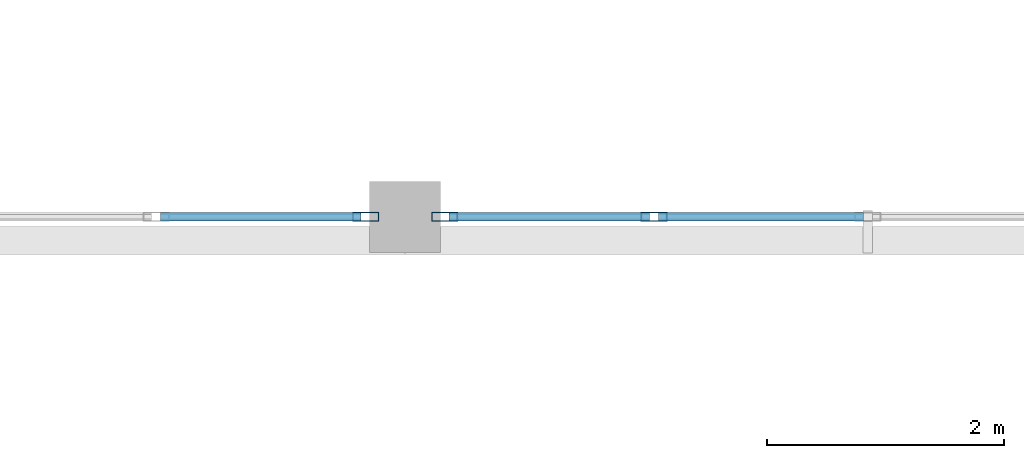
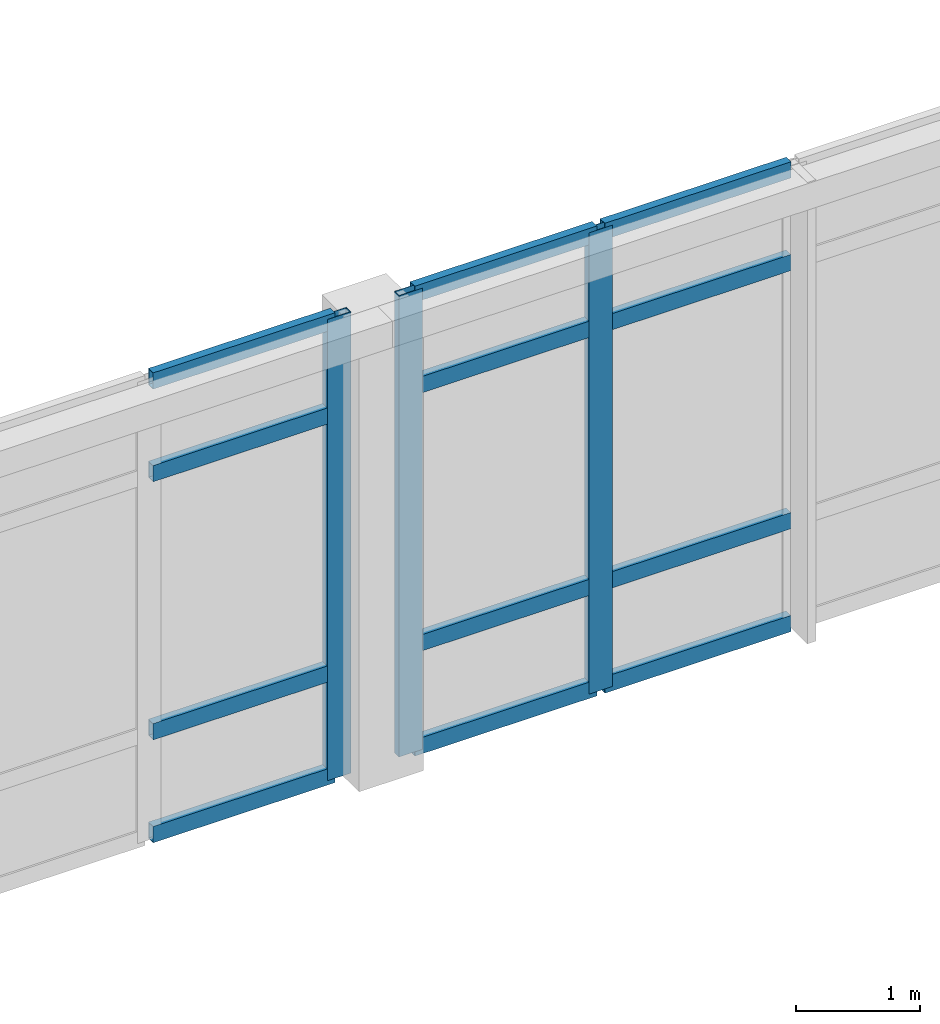
# One storey, part 25 of 88: 15 members, 2 elements without a shape of their own.
"""IFC4 building model written with IfcOpenShell, lengths in metres."""

from ifc_helpers import new_model, si_unit, direction, frame, origin, origin_2d, place, context, subcontext, project, spatial, hollow_rectangle, extrude, material, layer, layer_set, material_profile, profile_set, type_object, element, aggregate, save


model = new_model("IFC4")

# Units and contexts
model_context = context("Model", 3, precision=1e-05, world=origin(), true_north=direction((0.0, 1.0)))
body_context = subcontext(model_context, "Body", "Model", "MODEL_VIEW")
ifc_project = project(units=[si_unit("LENGTHUNIT", "METRE"), si_unit("AREAUNIT", "SQUARE_METRE"), si_unit("VOLUMEUNIT", "CUBIC_METRE"), si_unit("PLANEANGLEUNIT", "RADIAN"), si_unit("MASSUNIT", "GRAM", prefix="KILO")], contexts=[model_context])

# Site, building, storey
site_placement = place(None, origin())
site = spatial("IfcSite", under=ifc_project, at=site_placement, CompositionType="ELEMENT")
building_placement = place(site_placement, origin())
building = spatial("IfcBuilding", under=site, at=building_placement, Name="Lornevale Opera House", CompositionType="ELEMENT")
storey_placement = place(building_placement, frame((0.0, 0.0, 10.199951171875)))
storey = spatial("IfcBuildingStorey", under=building, at=storey_placement, Name="L03", CompositionType="ELEMENT", Elevation=10.199951171875)

# Curtain wall, member
ifc_material = material(Name="Anodized Oxide-Green Aluminium Framing", Category="aluminium")
ifc_layer = layer(ifc_material, 0.219970703125)
ifc_layer_set = layer_set([ifc_layer], Name="Anodized Oxide-Green Aluminium Framing")
curtain_wall_type = type_object("IfcCurtainWallType", Name="Winter-Garden Curtain Wall M1900", PredefinedType="NOTDEFINED", material=ifc_layer_set)
curtain_wall_1_placement = place(storey_placement, origin())
curtain_wall_1 = element("IfcCurtainWall", 1, at=curtain_wall_1_placement, inside=storey, type_object=curtain_wall_type, Name="Winter-Garden Curtain Wall M1900 CW-136", PredefinedType="NOTDEFINED")
ifc_material_profile_1 = material_profile(ifc_material, hollow_rectangle(XDim=0.074951171875, YDim=0.219970703125, WallThickness=0.0048828125, at=origin_2d()), Name="ALU75x220x5")
ifc_profile_set_1 = profile_set([ifc_material_profile_1], Name="Anodized Oxide-Green Aluminium Framing")
member_type_1 = type_object("IfcMemberType", Name="Curtain Wall Mullion 75x220", PredefinedType="MULLION", material=ifc_profile_set_1)
member_1_placement = place(storey_placement, frame((76.466552734375, 16.800048828125, 0.0), z_axis=(0.0, 0.0, 1.0), x_axis=(0.0, -1.0, 0.0)))
member_1 = element("IfcMember", 2, at=member_1_placement, type_object=member_type_1, Name="Curtain Wall Mullion 75x220 CW2792", PredefinedType="MULLION", context=body_context, shape_type="SweptSolid", body=[
    extrude(hollow_rectangle(XDim=0.074951171875, YDim=0.219970703125, WallThickness=0.0048828125, at=origin_2d()), origin(), (0.0, 0.0, 1.0), 4.5400390625),
])

# Curtain wall, members
curtain_wall_2_placement = place(storey_placement, origin())
curtain_wall_2 = element("IfcCurtainWall", 3, at=curtain_wall_2_placement, inside=storey, type_object=curtain_wall_type, Name="Winter-Garden Curtain Wall M1900 CW-137", PredefinedType="NOTDEFINED")
member_2_placement = place(storey_placement, frame((78.902587890625, 16.800048828125, 0.0), z_axis=(0.0, 0.0, 1.0), x_axis=(0.0, -1.0, 0.0)))
member_2 = element("IfcMember", 4, at=member_2_placement, type_object=member_type_1, Name="Curtain Wall Mullion 75x220 CW2837", PredefinedType="MULLION", context=body_context, shape_type="SweptSolid", body=[
    extrude(hollow_rectangle(XDim=0.074951171875, YDim=0.219970703125, WallThickness=0.0048828125, at=origin_2d()), origin(), (0.0, 0.0, 1.0), 4.5400390625),
])
member_3_placement = place(storey_placement, frame((77.133544921875, 16.800048828125, 0.0), z_axis=(0.0, 0.0, 1.0), x_axis=(0.0, -1.0, 0.0)))
member_3 = element("IfcMember", 5, at=member_3_placement, type_object=member_type_1, Name="Curtain Wall Mullion 75x220 CW2838", PredefinedType="MULLION", context=body_context, shape_type="SweptSolid", body=[
    extrude(hollow_rectangle(XDim=0.074951171875, YDim=0.219970703125, WallThickness=0.0048828125, at=origin_2d()), origin(), (0.0, 0.0, 1.0), 4.5400390625),
])

# Member
ifc_material_profile_2 = material_profile(ifc_material, hollow_rectangle(XDim=0.074951171875, YDim=0.159912109375, WallThickness=0.0048828125, at=origin_2d()), Name="ALU75x160x5")
ifc_profile_set_2 = profile_set([ifc_material_profile_2], Name="Anodized Oxide-Green Aluminium Framing")
member_type_2 = type_object("IfcMemberType", Name="Curtain Wall Transom 75x160", PredefinedType="USERDEFINED", material=ifc_profile_set_2)
member_4_placement = place(storey_placement, frame((76.428955078125, 16.800048828125, 0.03759765625), z_axis=(-1.0, 0.0, 0.0), x_axis=(0.0, -1.0, 0.0)))
member_4 = element("IfcMember", 6, at=member_4_placement, type_object=member_type_2, Name="Curtain Wall Transom 75x160 CW2798", ObjectType="TRANSOM", PredefinedType="USERDEFINED", context=body_context, shape_type="SweptSolid", body=[
    extrude(hollow_rectangle(XDim=0.074951171875, YDim=0.159912109375, WallThickness=0.0048828125, at=origin_2d()), origin(), (0.0, 0.0, 1.0), 1.694091796875),
])

member_5_placement = place(storey_placement, frame((76.428955078125, 16.800048828125, 1.050048828125), z_axis=(-1.0, 0.0, 0.0), x_axis=(0.0, -1.0, 0.0)))
member_5 = element("IfcMember", 7, at=member_5_placement, type_object=member_type_2, Name="Curtain Wall Transom 75x160 CW2799", ObjectType="TRANSOM", PredefinedType="USERDEFINED", context=body_context, shape_type="SweptSolid", body=[
    extrude(hollow_rectangle(XDim=0.074951171875, YDim=0.159912109375, WallThickness=0.0048828125, at=origin_2d()), origin(), (0.0, 0.0, 1.0), 1.694091796875),
])

member_6_placement = place(storey_placement, frame((76.428955078125, 16.800048828125, 3.590087890625), z_axis=(-1.0, 0.0, 0.0), x_axis=(0.0, -1.0, 0.0)))
member_6 = element("IfcMember", 8, at=member_6_placement, type_object=member_type_2, Name="Curtain Wall Transom 75x160 CW2800", ObjectType="TRANSOM", PredefinedType="USERDEFINED", context=body_context, shape_type="SweptSolid", body=[
    extrude(hollow_rectangle(XDim=0.074951171875, YDim=0.159912109375, WallThickness=0.0048828125, at=origin_2d()), origin(), (0.0, 0.0, 1.0), 1.694091796875),
])

member_7_placement = place(storey_placement, frame((76.428955078125, 16.800048828125, 4.50244140625), z_axis=(-1.0, 0.0, 0.0), x_axis=(0.0, -1.0, 0.0)))
member_7 = element("IfcMember", 9, at=member_7_placement, type_object=member_type_2, Name="Curtain Wall Transom 75x160 CW2801", ObjectType="TRANSOM", PredefinedType="USERDEFINED", context=body_context, shape_type="SweptSolid", body=[
    extrude(hollow_rectangle(XDim=0.074951171875, YDim=0.159912109375, WallThickness=0.0048828125, at=origin_2d()), origin(), (0.0, 0.0, 1.0), 1.694091796875),
])

aggregate(curtain_wall_1, [member_1, member_4, member_5, member_6, member_7])

member_8_placement = place(storey_placement, frame((80.671630859375, 16.800048828125, 0.03759765625), z_axis=(-1.0, 0.0, 0.0), x_axis=(0.0, -1.0, 0.0)))
member_8 = element("IfcMember", 10, at=member_8_placement, type_object=member_type_2, Name="Curtain Wall Transom 75x160 CW2860", ObjectType="TRANSOM", PredefinedType="USERDEFINED", context=body_context, shape_type="SweptSolid", body=[
    extrude(hollow_rectangle(XDim=0.074951171875, YDim=0.159912109375, WallThickness=0.0048828125, at=origin_2d()), origin(), (0.0, 0.0, 1.0), 1.7314453125),
])

member_9_placement = place(storey_placement, frame((80.671630859375, 16.800048828125, 1.050048828125), z_axis=(-1.0, 0.0, 0.0), x_axis=(0.0, -1.0, 0.0)))
member_9 = element("IfcMember", 11, at=member_9_placement, type_object=member_type_2, Name="Curtain Wall Transom 75x160 CW2861", ObjectType="TRANSOM", PredefinedType="USERDEFINED", context=body_context, shape_type="SweptSolid", body=[
    extrude(hollow_rectangle(XDim=0.074951171875, YDim=0.159912109375, WallThickness=0.0048828125, at=origin_2d()), origin(), (0.0, 0.0, 1.0), 1.7314453125),
])

member_10_placement = place(storey_placement, frame((80.671630859375, 16.800048828125, 3.590087890625), z_axis=(-1.0, 0.0, 0.0), x_axis=(0.0, -1.0, 0.0)))
member_10 = element("IfcMember", 12, at=member_10_placement, type_object=member_type_2, Name="Curtain Wall Transom 75x160 CW2862", ObjectType="TRANSOM", PredefinedType="USERDEFINED", context=body_context, shape_type="SweptSolid", body=[
    extrude(hollow_rectangle(XDim=0.074951171875, YDim=0.159912109375, WallThickness=0.0048828125, at=origin_2d()), origin(), (0.0, 0.0, 1.0), 1.7314453125),
])

member_11_placement = place(storey_placement, frame((80.671630859375, 16.800048828125, 4.50244140625), z_axis=(-1.0, 0.0, 0.0), x_axis=(0.0, -1.0, 0.0)))
member_11 = element("IfcMember", 13, at=member_11_placement, type_object=member_type_2, Name="Curtain Wall Transom 75x160 CW2863", ObjectType="TRANSOM", PredefinedType="USERDEFINED", context=body_context, shape_type="SweptSolid", body=[
    extrude(hollow_rectangle(XDim=0.074951171875, YDim=0.159912109375, WallThickness=0.0048828125, at=origin_2d()), origin(), (0.0, 0.0, 1.0), 1.7314453125),
])

member_12_placement = place(storey_placement, frame((78.864990234375, 16.800048828125, 0.03759765625), z_axis=(-1.0, 0.0, 0.0), x_axis=(0.0, -1.0, 0.0)))
member_12 = element("IfcMember", 14, at=member_12_placement, type_object=member_type_2, Name="Curtain Wall Transom 75x160 CW2867", ObjectType="TRANSOM", PredefinedType="USERDEFINED", context=body_context, shape_type="SweptSolid", body=[
    extrude(hollow_rectangle(XDim=0.074951171875, YDim=0.159912109375, WallThickness=0.0048828125, at=origin_2d()), origin(), (0.0, 0.0, 1.0), 1.694091796875),
])

member_13_placement = place(storey_placement, frame((78.864990234375, 16.800048828125, 1.050048828125), z_axis=(-1.0, 0.0, 0.0), x_axis=(0.0, -1.0, 0.0)))
member_13 = element("IfcMember", 15, at=member_13_placement, type_object=member_type_2, Name="Curtain Wall Transom 75x160 CW2868", ObjectType="TRANSOM", PredefinedType="USERDEFINED", context=body_context, shape_type="SweptSolid", body=[
    extrude(hollow_rectangle(XDim=0.074951171875, YDim=0.159912109375, WallThickness=0.0048828125, at=origin_2d()), origin(), (0.0, 0.0, 1.0), 1.694091796875),
])

member_14_placement = place(storey_placement, frame((78.864990234375, 16.800048828125, 3.590087890625), z_axis=(-1.0, 0.0, 0.0), x_axis=(0.0, -1.0, 0.0)))
member_14 = element("IfcMember", 16, at=member_14_placement, type_object=member_type_2, Name="Curtain Wall Transom 75x160 CW2869", ObjectType="TRANSOM", PredefinedType="USERDEFINED", context=body_context, shape_type="SweptSolid", body=[
    extrude(hollow_rectangle(XDim=0.074951171875, YDim=0.159912109375, WallThickness=0.0048828125, at=origin_2d()), origin(), (0.0, 0.0, 1.0), 1.694091796875),
])

member_15_placement = place(storey_placement, frame((78.864990234375, 16.800048828125, 4.50244140625), z_axis=(-1.0, 0.0, 0.0), x_axis=(0.0, -1.0, 0.0)))
member_15 = element("IfcMember", 17, at=member_15_placement, type_object=member_type_2, Name="Curtain Wall Transom 75x160 CW2870", ObjectType="TRANSOM", PredefinedType="USERDEFINED", context=body_context, shape_type="SweptSolid", body=[
    extrude(hollow_rectangle(XDim=0.074951171875, YDim=0.159912109375, WallThickness=0.0048828125, at=origin_2d()), origin(), (0.0, 0.0, 1.0), 1.694091796875),
])

aggregate(curtain_wall_2, [member_2, member_3, member_8, member_9, member_10, member_11, member_12, member_13, member_14, member_15])

save(model, "model.ifc")
